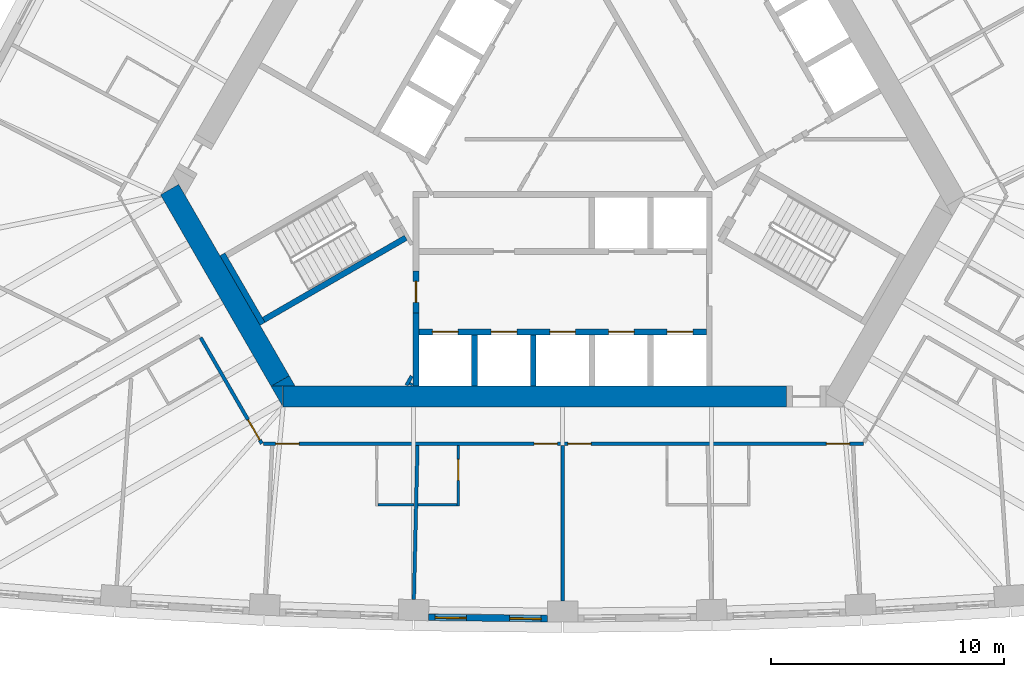
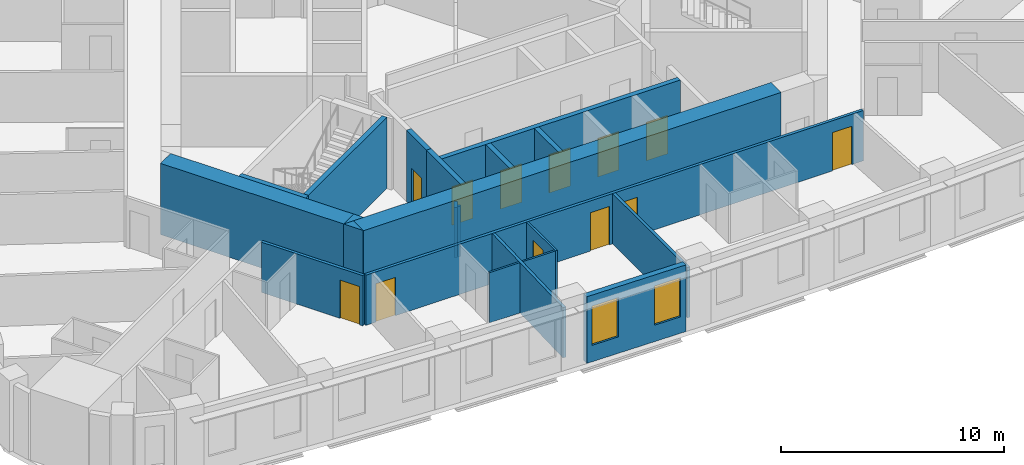
# One storey, part 4 of 13: 21 walls, 12 doors, 2 windows, 14 openings.
"""IFC4 building model written with IfcOpenShell, lengths in metres."""

from ifc_helpers import new_model, si_unit, direction, frame, frame_2d, origin, place, context, subcontext, project, spatial, polyline, rectangle, outline, extrude, material, layer, layer_set, type_object, element, fill, save


model = new_model("IFC4")

# Units and contexts
model_context = context("Model", 3, precision=1e-05, world=origin(), true_north=direction((0.0, 1.0)))
body_context = subcontext(model_context, "Body", "Model", "MODEL_VIEW")
ifc_project = project(units=[si_unit("LENGTHUNIT", "METRE"), si_unit("AREAUNIT", "SQUARE_METRE"), si_unit("VOLUMEUNIT", "CUBIC_METRE"), si_unit("PLANEANGLEUNIT", "RADIAN"), si_unit("MASSUNIT", "GRAM", prefix="KILO")], contexts=[model_context])

# Site, building, storey
site_placement = place(None, origin())
site = spatial("IfcSite", under=ifc_project, at=site_placement, CompositionType="ELEMENT")
building_placement = place(site_placement, origin())
building = spatial("IfcBuilding", under=site, at=building_placement, Name="Mestral Congress Tower", CompositionType="ELEMENT")
storey_placement = place(building_placement, frame((0.0, 0.0, 99.300048828125)))
storey = spatial("IfcBuildingStorey", under=building, at=storey_placement, Name="L23", CompositionType="ELEMENT", Elevation=99.300048828125)

# Walls
ifc_material_1 = material(Name="Fire-rated board partition")
ifc_layer_1 = layer(ifc_material_1, 0.14990234375)
ifc_layer_set_1 = layer_set([ifc_layer_1], Name="Fire-rated board partition")
wall_type_1 = type_object("IfcWallType", Name="Core partition 150", PredefinedType="PARTITIONING", material=ifc_layer_set_1)
wall_1_placement = place(storey_placement, frame((-6.707763671875, -12.068115234375, 0.0), z_axis=(0.0, 0.0, 1.0), x_axis=(0.500000789788, 0.8660249478, 0.0)))
element("IfcWall", 1, at=wall_1_placement, inside=storey, type_object=wall_type_1, Name="L23 core wall", PredefinedType="PARTITIONING", context=body_context, shape_type="SweptSolid", body=[
    extrude(rectangle(XDim=0.45556640625, YDim=0.14990234375, at=frame_2d((0.227783203125, 0.0))), origin(), (0.0, 0.0, 1.0), 2.75),
])
wall_2_placement = place(storey_placement, frame((-6.534423828125, -12.068115234375, 0.0), z_axis=(0.0, 0.0, 1.0), x_axis=(0.500240224089, 0.865886665912, 0.0)))
element("IfcWall", 2, at=wall_2_placement, inside=storey, type_object=wall_type_1, Name="L23 core wall", PredefinedType="PARTITIONING", context=body_context, shape_type="SweptSolid", body=[
    extrude(rectangle(XDim=0.10888671875, YDim=0.14990234375, at=frame_2d((0.054443359375, 0.0))), origin(), (0.0, 0.0, 1.0), 2.75),
])
ifc_material_2 = material(Name="Concrete C60/75", Category="concrete")
ifc_layer_2 = layer(ifc_material_2, 0.89990234375)
ifc_layer_set_2 = layer_set([ifc_layer_2], Name="Concrete C60/75")
wall_type_2 = type_object("IfcWallType", Name="Core wall RC 900", PredefinedType="SOLIDWALL", material=ifc_layer_set_2)
wall_3_placement = place(storey_placement, frame((-12.0185546875, -12.550048828125, 0.0), z_axis=(0.0, 0.0, 1.0), x_axis=(1.0, 0.0, 0.0)))
element("IfcWall", 3, at=wall_3_placement, inside=storey, type_object=wall_type_2, Name="L23 core wall", PredefinedType="SOLIDWALL", context=body_context, shape_type="SweptSolid", body=[
    extrude(rectangle(XDim=21.63037109375, YDim=0.89990234375, at=frame_2d((10.815185546875, 0.0))), origin(), (0.0, 0.0, 1.0), 3.89990234375),
])
placement = place(storey_placement, origin())
element("IfcWall", 4, at=placement, inside=storey, type_object=wall_type_2, Name="L23 core wall", PredefinedType="SOLIDWALL", context=body_context, shape_type="SweptSolid", body=[
    extrude(outline(polyline([(-12.528564453125, -12.10009765625), (-12.0205078125, -12.10009765625), (-12.0205078125, -12.97998046875), (-12.528564453125, -12.10009765625)])), origin(), (0.0, 0.0, 1.0), 3.89990234375),
])
wall_5_placement = place(storey_placement, frame((-12.134033203125, -11.88330078125, 0.0), z_axis=(0.0, 0.0, 1.0), x_axis=(-0.500005339912, 0.866022320763, 0.0)))
element("IfcWall", 5, at=wall_5_placement, inside=storey, type_object=wall_type_2, Name="L23 core wall", PredefinedType="SOLIDWALL", context=body_context, shape_type="SweptSolid", body=[
    extrude(rectangle(XDim=9.48779296875, YDim=0.89990234375, at=frame_2d((4.743896484375, 0.0))), origin(), (0.0, 0.0, 1.0), 3.89990234375),
])
element("IfcWall", 6, at=placement, inside=storey, type_object=wall_type_2, Name="L23 core wall", PredefinedType="SOLIDWALL", context=body_context, shape_type="SweptSolid", body=[
    extrude(outline(polyline([(-11.4892578125, -12.10009765625), (-12.50537109375, -12.10009765625), (-11.743408203125, -11.66015625), (-11.4892578125, -12.10009765625)])), origin(), (0.0, 0.0, 1.0), 3.89990234375),
])

# Wall, openings, windows
ifc_material_3 = material(Name="Precast concrete C40/50 with limestone facing", Category="masonry")
ifc_layer_3 = layer(ifc_material_3, 0.2900390625)
ifc_layer_set_3 = layer_set([ifc_layer_3], Name="Precast concrete C40/50 with limestone facing")
wall_type_3 = type_object("IfcWallType", Name="Facade stone wall 290", PredefinedType="SOLIDWALL", material=ifc_layer_set_3)
wall_7_placement = place(storey_placement, frame((-5.753173828125, -22.031494140625, 0.0), z_axis=(0.0, 0.0, 1.0), x_axis=(0.999931786565, -0.011679992145, 0.0)))
wall_7 = element("IfcWall", 7, at=wall_7_placement, inside=storey, type_object=wall_type_3, Name="Facade wall F0-03", PredefinedType="SOLIDWALL", context=body_context, shape_type="SweptSolid", body=[
    extrude(rectangle(XDim=5.10009765625, YDim=0.2900390625, at=frame_2d((2.550048828125, 0.0))), origin(), (0.0, 0.0, 1.0), 3.64990234375),
])
opening_1_placement = place(wall_7_placement, frame((0.2724609375, 0.0, 0.89990234375)))
opening_1 = element("IfcOpeningElement", 8, at=opening_1_placement, cuts=wall_7, Name="Opening W2", PredefinedType="OPENING", context=body_context, shape_type="SweptSolid", body=[
    extrude(rectangle(XDim=1.35009765625, YDim=2.14990234375, at=frame_2d((0.675048828125, 1.074951171875))), frame((0.0, 0.155029296875, 0.0), z_axis=(0.0, -1.0, 0.0), x_axis=(1.0, 0.0, 0.0)), (0.0, 0.0, 1.0), 0.31005859375),
])
opening_2_placement = place(wall_7_placement, frame((3.477783203125, 0.0, 0.89990234375)))
opening_2 = element("IfcOpeningElement", 9, at=opening_2_placement, cuts=wall_7, Name="Opening W2", PredefinedType="OPENING", context=body_context, shape_type="SweptSolid", body=[
    extrude(rectangle(XDim=1.35009765625, YDim=2.14990234375, at=frame_2d((0.675048828125, 1.074951171875))), frame((0.0, 0.155029296875, 0.0), z_axis=(0.0, -1.0, 0.0), x_axis=(1.0, 0.0, 0.0)), (0.0, 0.0, 1.0), 0.31005859375),
])
ifc_material_4 = material(Name="Clear low-emissivity double glazing", Category="glass")
window_type = type_object("IfcWindowType", Name="Facade punched window 1350 x 2150 sill 900", PartitioningType="DOUBLE_PANEL_VERTICAL", PredefinedType="WINDOW", material=ifc_material_4)
window_1_placement = place(opening_1_placement, origin())
window_1 = element("IfcWindow", 10, at=window_1_placement, inside=storey, type_object=window_type, Name="Window F0-03a", OverallHeight=2.14990234375, OverallWidth=1.35009765625, PartitioningType="DOUBLE_PANEL_VERTICAL", PredefinedType="WINDOW", context=body_context, shape_type="SweptSolid", body=[
    extrude(rectangle(XDim=1.35009765625, YDim=2.14990234375, at=frame_2d((0.675048828125, 1.074951171875))), frame((0.0, 0.01513671875, 0.0), z_axis=(0.0, -1.0, 0.0), x_axis=(1.0, 0.0, 0.0)), (0.0, 0.0, 1.0), 0.06005859375),
])
fill(opening_1, window_1)
window_2_placement = place(opening_2_placement, origin())
window_2 = element("IfcWindow", 11, at=window_2_placement, inside=storey, type_object=window_type, Name="Window F0-03b", OverallHeight=2.14990234375, OverallWidth=1.35009765625, PartitioningType="DOUBLE_PANEL_VERTICAL", PredefinedType="WINDOW", context=body_context, shape_type="SweptSolid", body=[
    extrude(rectangle(XDim=1.35009765625, YDim=2.14990234375, at=frame_2d((0.675048828125, 1.074951171875))), frame((0.0, 0.01513671875, 0.0), z_axis=(0.0, -1.0, 0.0), x_axis=(1.0, 0.0, 0.0)), (0.0, 0.0, 1.0), 0.06005859375),
])
fill(opening_2, window_2)

# Wall
ifc_material_5 = material(Name="Gypsum board partition on metal studs with mineral wool", Category="composite")
ifc_layer_4 = layer(ifc_material_5, 0.10009765625)
ifc_layer_set_4 = layer_set([ifc_layer_4], Name="Gypsum board partition on metal studs with mineral wool")
wall_type_4 = type_object("IfcWallType", Name="Hotel partition wall 100", PredefinedType="PARTITIONING", material=ifc_layer_set_4)
wall_8_placement = place(storey_placement, frame((-7.937744140625, -17.199951171875, 0.0), z_axis=(0.0, 0.0, 1.0), x_axis=(1.0, 0.0, 0.0)))
element("IfcWall", 12, at=wall_8_placement, inside=storey, type_object=wall_type_4, Name="L23-h-pod03b", PredefinedType="PARTITIONING", context=body_context, shape_type="SweptSolid", body=[
    extrude(rectangle(XDim=1.56005859375, YDim=0.10009765625, at=frame_2d((0.780029296875, 0.0))), origin(), (0.0, 0.0, 1.0), 2.75),
])

# Wall, opening, door
wall_9_placement = place(storey_placement, frame((-4.480224609375, -17.25, 0.0), z_axis=(0.0, 0.0, 1.0), x_axis=(0.0, 1.0, 0.0)))
wall_9 = element("IfcWall", 13, at=wall_9_placement, inside=storey, type_object=wall_type_4, Name="L23-h-pod04a", PredefinedType="PARTITIONING", context=body_context, shape_type="SweptSolid", body=[
    extrude(rectangle(XDim=2.60009765625, YDim=0.10009765625, at=frame_2d((1.300048828125, 0.0))), origin(), (0.0, 0.0, 1.0), 2.75),
])
opening_3_placement = place(wall_9_placement, frame((1.10009765625, 0.0, 0.0)))
opening_3 = element("IfcOpeningElement", 14, at=opening_3_placement, cuts=wall_9, Name="Opening H07-008", PredefinedType="OPENING", context=body_context, shape_type="SweptSolid", body=[
    extrude(rectangle(XDim=0.89990234375, YDim=2.10009765625, at=frame_2d((0.449951171875, 1.050048828125))), frame((0.0, 0.06005859375, 0.0), z_axis=(0.0, -1.0, 0.0), x_axis=(1.0, 0.0, 0.0)), (0.0, 0.0, 1.0), 0.1201171875),
])
ifc_material_6 = material(Name="Timber veneer door leaf in timber frame", Category="wood")
door_type_1 = type_object("IfcDoorType", Name="Bathroom door 900", OperationType="SINGLE_SWING_LEFT", PredefinedType="DOOR", material=ifc_material_6)
door_1_placement = place(opening_3_placement, origin())
door_1 = element("IfcDoor", 15, at=door_1_placement, inside=storey, type_object=door_type_1, Name="L23-h-d008", OperationType="SINGLE_SWING_LEFT", OverallHeight=2.10009765625, OverallWidth=0.89990234375, PredefinedType="DOOR", context=body_context, shape_type="SweptSolid", body=[
    extrude(rectangle(XDim=0.89990234375, YDim=2.10009765625, at=frame_2d((0.449951171875, 1.050048828125))), frame((0.0, 0.02490234375, 0.0), z_axis=(0.0, -1.0, 0.0), x_axis=(1.0, 0.0, 0.0)), (0.0, 0.0, 1.0), 0.050048828125),
])
fill(opening_3, door_1)

# Wall
wall_10_placement = place(storey_placement, frame((-4.5302734375, -17.199951171875, 0.0), z_axis=(0.0, 0.0, 1.0), x_axis=(-1.0, 0.0, 0.0)))
element("IfcWall", 16, at=wall_10_placement, inside=storey, type_object=wall_type_4, Name="L23-h-pod04b", PredefinedType="PARTITIONING", context=body_context, shape_type="SweptSolid", body=[
    extrude(rectangle(XDim=1.679931640625, YDim=0.10009765625, at=frame_2d((0.83984375, 0.0))), origin(), (0.0, 0.0, 1.0), 2.75),
])

# Wall, opening, door
ifc_layer_5 = layer(ifc_material_5, 0.14990234375)
ifc_layer_set_5 = layer_set([ifc_layer_5], Name="Gypsum board partition on metal studs with mineral wool")
wall_type_5 = type_object("IfcWallType", Name="Hotel partition wall 150", PredefinedType="PARTITIONING", material=ifc_layer_set_5)
wall_11_placement = place(storey_placement, frame((-12.918212890625, -14.574951171875, 0.0), z_axis=(0.0, 0.0, 1.0), x_axis=(-0.500009150678, 0.866020120573, 0.0)))
wall_11 = element("IfcWall", 17, at=wall_11_placement, inside=storey, type_object=wall_type_5, Name="L23-h-cw12", PredefinedType="PARTITIONING", context=body_context, shape_type="SweptSolid", body=[
    extrude(rectangle(XDim=5.25830078125, YDim=0.14990234375, at=frame_2d((2.629150390625, 0.0))), origin(), (0.0, 0.0, 1.0), 2.75),
])
opening_4_placement = place(wall_11_placement, frame((0.179931640625, 0.0, 0.0)))
opening_4 = element("IfcOpeningElement", 18, at=opening_4_placement, cuts=wall_11, Name="Opening H07-003", PredefinedType="OPENING", context=body_context, shape_type="SweptSolid", body=[
    extrude(rectangle(XDim=1.0, YDim=2.10009765625, at=frame_2d((0.5, 1.050048828125))), frame((0.0, 0.0849609375, 0.0), z_axis=(0.0, -1.0, 0.0), x_axis=(1.0, 0.0, 0.0)), (0.0, 0.0, 1.0), 0.169921875),
])
ifc_material_7 = material(Name="Timber veneer door leaf in metal frame", Category="wood")
door_type_2 = type_object("IfcDoorType", Name="Guest room entrance door 1000", OperationType="SINGLE_SWING_LEFT", PredefinedType="DOOR", material=ifc_material_7)
door_2_placement = place(opening_4_placement, origin())
door_2 = element("IfcDoor", 19, at=door_2_placement, inside=storey, type_object=door_type_2, Name="L23-h-d003", OperationType="SINGLE_SWING_LEFT", OverallHeight=2.10009765625, OverallWidth=1.0, PredefinedType="DOOR", context=body_context, shape_type="SweptSolid", body=[
    extrude(rectangle(XDim=1.0, YDim=2.10009765625, at=frame_2d((0.5, 1.050048828125))), frame((0.0, 0.02490234375, 0.0), z_axis=(0.0, -1.0, 0.0), x_axis=(1.0, 0.0, 0.0)), (0.0, 0.0, 1.0), 0.050048828125),
])
fill(opening_4, door_2)

# Wall, openings, doors
wall_12_placement = place(storey_placement, frame((12.918212890625, -14.574951171875, 0.0), z_axis=(0.0, 0.0, 1.0), x_axis=(-1.0, 0.0, 0.0)))
wall_12 = element("IfcWall", 20, at=wall_12_placement, inside=storey, type_object=wall_type_5, Name="L23-h-cw13", PredefinedType="PARTITIONING", context=body_context, shape_type="SweptSolid", body=[
    extrude(rectangle(XDim=25.766357421875, YDim=0.14990234375, at=frame_2d((12.88330078125, 0.0))), origin(), (0.0, 0.0, 1.0), 2.75),
])
opening_5_placement = place(wall_12_placement, frame((24.240478515625, 0.0, 0.0)))
opening_5 = element("IfcOpeningElement", 21, at=opening_5_placement, cuts=wall_12, Name="Opening H07-005", PredefinedType="OPENING", context=body_context, shape_type="SweptSolid", body=[
    extrude(rectangle(XDim=1.0, YDim=2.10009765625, at=frame_2d((0.5, 1.050048828125))), frame((0.0, 0.0849609375, 0.0), z_axis=(0.0, -1.0, 0.0), x_axis=(1.0, 0.0, 0.0)), (0.0, 0.0, 1.0), 0.169921875),
])
opening_6_placement = place(wall_12_placement, frame((13.144287109375, 0.0, 0.0)))
opening_6 = element("IfcOpeningElement", 22, at=opening_6_placement, cuts=wall_12, Name="Opening H07-007", PredefinedType="OPENING", context=body_context, shape_type="SweptSolid", body=[
    extrude(rectangle(XDim=1.0, YDim=2.10009765625, at=frame_2d((0.5, 1.050048828125))), frame((0.0, 0.0849609375, 0.0), z_axis=(0.0, -1.0, 0.0), x_axis=(1.0, 0.0, 0.0)), (0.0, 0.0, 1.0), 0.169921875),
])
opening_7_placement = place(wall_12_placement, frame((11.693115234375, 0.0, 0.0)))
opening_7 = element("IfcOpeningElement", 23, at=opening_7_placement, cuts=wall_12, Name="Opening H07-009", PredefinedType="OPENING", context=body_context, shape_type="SweptSolid", body=[
    extrude(rectangle(XDim=1.0, YDim=2.10009765625, at=frame_2d((0.5, 1.050048828125))), frame((0.0, 0.0849609375, 0.0), z_axis=(0.0, -1.0, 0.0), x_axis=(1.0, 0.0, 0.0)), (0.0, 0.0, 1.0), 0.169921875),
])
opening_8_placement = place(wall_12_placement, frame((0.595947265625, 0.0, 0.0)))
opening_8 = element("IfcOpeningElement", 24, at=opening_8_placement, cuts=wall_12, Name="Opening H07-011", PredefinedType="OPENING", context=body_context, shape_type="SweptSolid", body=[
    extrude(rectangle(XDim=1.0, YDim=2.10009765625, at=frame_2d((0.5, 1.050048828125))), frame((0.0, 0.0849609375, 0.0), z_axis=(0.0, -1.0, 0.0), x_axis=(1.0, 0.0, 0.0)), (0.0, 0.0, 1.0), 0.169921875),
])
door_3_placement = place(opening_5_placement, origin())
door_3 = element("IfcDoor", 25, at=door_3_placement, inside=storey, type_object=door_type_2, Name="L23-h-d005", OperationType="SINGLE_SWING_RIGHT", OverallHeight=2.10009765625, OverallWidth=1.0, PredefinedType="DOOR", context=body_context, shape_type="SweptSolid", body=[
    extrude(rectangle(XDim=1.0, YDim=2.10009765625, at=frame_2d((0.5, 1.050048828125))), frame((0.0, 0.02490234375, 0.0), z_axis=(0.0, -1.0, 0.0), x_axis=(1.0, 0.0, 0.0)), (0.0, 0.0, 1.0), 0.050048828125),
])
fill(opening_5, door_3)
door_4_placement = place(opening_6_placement, origin())
door_4 = element("IfcDoor", 26, at=door_4_placement, inside=storey, type_object=door_type_2, Name="L23-h-d007", OperationType="SINGLE_SWING_LEFT", OverallHeight=2.10009765625, OverallWidth=1.0, PredefinedType="DOOR", context=body_context, shape_type="SweptSolid", body=[
    extrude(rectangle(XDim=1.0, YDim=2.10009765625, at=frame_2d((0.5, 1.050048828125))), frame((0.0, 0.02490234375, 0.0), z_axis=(0.0, -1.0, 0.0), x_axis=(1.0, 0.0, 0.0)), (0.0, 0.0, 1.0), 0.050048828125),
])
fill(opening_6, door_4)
door_5_placement = place(opening_7_placement, origin())
door_5 = element("IfcDoor", 27, at=door_5_placement, inside=storey, type_object=door_type_2, Name="L23-h-d009", OperationType="SINGLE_SWING_RIGHT", OverallHeight=2.10009765625, OverallWidth=1.0, PredefinedType="DOOR", context=body_context, shape_type="SweptSolid", body=[
    extrude(rectangle(XDim=1.0, YDim=2.10009765625, at=frame_2d((0.5, 1.050048828125))), frame((0.0, 0.02490234375, 0.0), z_axis=(0.0, -1.0, 0.0), x_axis=(1.0, 0.0, 0.0)), (0.0, 0.0, 1.0), 0.050048828125),
])
fill(opening_7, door_5)
door_6_placement = place(opening_8_placement, origin())
door_6 = element("IfcDoor", 28, at=door_6_placement, inside=storey, type_object=door_type_2, Name="L23-h-d011", OperationType="SINGLE_SWING_LEFT", OverallHeight=2.10009765625, OverallWidth=1.0, PredefinedType="DOOR", context=body_context, shape_type="SweptSolid", body=[
    extrude(rectangle(XDim=1.0, YDim=2.10009765625, at=frame_2d((0.5, 1.050048828125))), frame((0.0, 0.02490234375, 0.0), z_axis=(0.0, -1.0, 0.0), x_axis=(1.0, 0.0, 0.0)), (0.0, 0.0, 1.0), 0.050048828125),
])
fill(opening_8, door_6)

# Walls
wall_13_placement = place(storey_placement, frame((-6.388916015625, -21.268798828125, 0.0), z_axis=(0.0, 0.0, 1.0), x_axis=(0.023377429176, 0.999726710559, 0.0)))
element("IfcWall", 29, at=wall_13_placement, inside=storey, type_object=wall_type_5, Name="L23-h-pw12", PredefinedType="PARTITIONING", context=body_context, shape_type="SweptSolid", body=[
    extrude(rectangle(XDim=6.610595703125, YDim=0.14990234375, at=frame_2d((3.30517578125, 0.0))), origin(), (0.0, 0.0, 1.0), 2.75),
])
wall_14_placement = place(storey_placement, frame((0.0, -21.343505859375, 0.0), z_axis=(0.0, 0.0, 1.0), x_axis=(0.0, 1.0, 0.0)))
element("IfcWall", 30, at=wall_14_placement, inside=storey, type_object=wall_type_5, Name="L23-h-pw15", PredefinedType="PARTITIONING", context=body_context, shape_type="SweptSolid", body=[
    extrude(rectangle(XDim=6.693603515625, YDim=0.14990234375, at=frame_2d((3.3466796875, 0.0))), origin(), (0.0, 0.0, 1.0), 2.75),
])
ifc_layer_6 = layer(ifc_material_2, 0.25)
ifc_layer_set_6 = layer_set([ifc_layer_6], Name="Concrete C60/75")
wall_type_6 = type_object("IfcWallType", Name="Shaft wall RC 250", PredefinedType="SOLIDWALL", material=ifc_layer_set_6)
wall_15_placement = place(storey_placement, frame((-3.780029296875, -12.10009765625, 0.0), z_axis=(0.0, 0.0, 1.0), x_axis=(0.0, 1.0, 0.0)))
element("IfcWall", 31, at=wall_15_placement, inside=storey, type_object=wall_type_6, Name="L23 core wall", PredefinedType="SOLIDWALL", context=body_context, shape_type="SweptSolid", body=[
    extrude(rectangle(XDim=2.199951171875, YDim=0.25, at=frame_2d((1.10009765625, 0.0))), origin(), (0.0, 0.0, 1.0), 3.89990234375),
])
wall_16_placement = place(storey_placement, frame((-6.300048828125, -12.10009765625, 0.0), z_axis=(0.0, 0.0, 1.0), x_axis=(0.0, 1.0, 0.0)))
element("IfcWall", 32, at=wall_16_placement, inside=storey, type_object=wall_type_6, Name="L23 core wall", PredefinedType="SOLIDWALL", context=body_context, shape_type="SweptSolid", body=[
    extrude(rectangle(XDim=3.1455078125, YDim=0.25, at=frame_2d((1.57275390625, 0.0))), origin(), (0.0, 0.0, 1.0), 3.89990234375),
])
wall_17_placement = place(storey_placement, frame((-1.260009765625, -12.10009765625, 0.0), z_axis=(0.0, 0.0, 1.0), x_axis=(0.0, 1.0, 0.0)))
element("IfcWall", 33, at=wall_17_placement, inside=storey, type_object=wall_type_6, Name="L23 core wall", PredefinedType="SOLIDWALL", context=body_context, shape_type="SweptSolid", body=[
    extrude(rectangle(XDim=2.199951171875, YDim=0.25, at=frame_2d((1.10009765625, 0.0))), origin(), (0.0, 0.0, 1.0), 3.89990234375),
])

# Wall, openings, doors
wall_18_placement = place(storey_placement, frame((-6.175048828125, -9.77490234375, 0.0), z_axis=(0.0, 0.0, 1.0), x_axis=(1.0, 0.0, 0.0)))
wall_18 = element("IfcWall", 34, at=wall_18_placement, inside=storey, type_object=wall_type_6, Name="L23 door wall", PredefinedType="SOLIDWALL", context=body_context, shape_type="SweptSolid", body=[
    extrude(rectangle(XDim=12.35009765625, YDim=0.25, at=frame_2d((6.175048828125, 0.0))), origin(), (0.0, 0.0, 1.0), 3.89990234375),
])
opening_9_placement = place(wall_18_placement, frame((0.5849609375, 0.0, 0.0)))
opening_9 = element("IfcOpeningElement", 35, at=opening_9_placement, cuts=wall_18, Name="Opening LD-SOA1", PredefinedType="OPENING", context=body_context, shape_type="SweptSolid", body=[
    extrude(rectangle(XDim=1.10009765625, YDim=2.10009765625, at=frame_2d((0.550048828125, 1.050048828125))), frame((0.0, 0.135009765625, 0.0), z_axis=(0.0, -1.0, 0.0), x_axis=(1.0, 0.0, 0.0)), (0.0, 0.0, 1.0), 0.27001953125),
])
opening_10_placement = place(wall_18_placement, frame((3.10498046875, 0.0, 0.0)))
opening_10 = element("IfcOpeningElement", 36, at=opening_10_placement, cuts=wall_18, Name="Opening LD-SOA2", PredefinedType="OPENING", context=body_context, shape_type="SweptSolid", body=[
    extrude(rectangle(XDim=1.10009765625, YDim=2.10009765625, at=frame_2d((0.550048828125, 1.050048828125))), frame((0.0, 0.135009765625, 0.0), z_axis=(0.0, -1.0, 0.0), x_axis=(1.0, 0.0, 0.0)), (0.0, 0.0, 1.0), 0.27001953125),
])
opening_11_placement = place(wall_18_placement, frame((5.625, 0.0, 0.0)))
opening_11 = element("IfcOpeningElement", 37, at=opening_11_placement, cuts=wall_18, Name="Opening LD-SOA3", PredefinedType="OPENING", context=body_context, shape_type="SweptSolid", body=[
    extrude(rectangle(XDim=1.10009765625, YDim=2.10009765625, at=frame_2d((0.550048828125, 1.050048828125))), frame((0.0, 0.135009765625, 0.0), z_axis=(0.0, -1.0, 0.0), x_axis=(1.0, 0.0, 0.0)), (0.0, 0.0, 1.0), 0.27001953125),
])
opening_12_placement = place(wall_18_placement, frame((8.14501953125, 0.0, 0.0)))
opening_12 = element("IfcOpeningElement", 38, at=opening_12_placement, cuts=wall_18, Name="Opening LD-SOA4", PredefinedType="OPENING", context=body_context, shape_type="SweptSolid", body=[
    extrude(rectangle(XDim=1.10009765625, YDim=2.10009765625, at=frame_2d((0.550048828125, 1.050048828125))), frame((0.0, 0.135009765625, 0.0), z_axis=(0.0, -1.0, 0.0), x_axis=(1.0, 0.0, 0.0)), (0.0, 0.0, 1.0), 0.27001953125),
])
opening_13_placement = place(wall_18_placement, frame((10.6650390625, 0.0, 0.0)))
opening_13 = element("IfcOpeningElement", 39, at=opening_13_placement, cuts=wall_18, Name="Opening LD-SOA5", PredefinedType="OPENING", context=body_context, shape_type="SweptSolid", body=[
    extrude(rectangle(XDim=1.10009765625, YDim=2.10009765625, at=frame_2d((0.550048828125, 1.050048828125))), frame((0.0, 0.135009765625, 0.0), z_axis=(0.0, -1.0, 0.0), x_axis=(1.0, 0.0, 0.0)), (0.0, 0.0, 1.0), 0.27001953125),
])
ifc_material_8 = material(Name="Fire-rated steel door set", Category="steel")
door_type_3 = type_object("IfcDoorType", Name="Core door LD 1100x2100", OperationType="DOUBLE_DOOR_SLIDING", PredefinedType="DOOR", material=ifc_material_8)
door_7_placement = place(opening_9_placement, origin())
door_7 = element("IfcDoor", 40, at=door_7_placement, inside=storey, type_object=door_type_3, Name="Door LD-SOA1", OperationType="DOUBLE_DOOR_SLIDING", OverallHeight=2.10009765625, OverallWidth=1.10009765625, PredefinedType="DOOR", context=body_context, shape_type="SweptSolid", body=[
    extrude(rectangle(XDim=1.10009765625, YDim=2.10009765625, at=frame_2d((0.550048828125, 1.050048828125))), frame((0.0, 0.02490234375, 0.0), z_axis=(0.0, -1.0, 0.0), x_axis=(1.0, 0.0, 0.0)), (0.0, 0.0, 1.0), 0.050048828125),
])
fill(opening_9, door_7)
door_8_placement = place(opening_10_placement, origin())
door_8 = element("IfcDoor", 41, at=door_8_placement, inside=storey, type_object=door_type_3, Name="Door LD-SOA2", OperationType="DOUBLE_DOOR_SLIDING", OverallHeight=2.10009765625, OverallWidth=1.10009765625, PredefinedType="DOOR", context=body_context, shape_type="SweptSolid", body=[
    extrude(rectangle(XDim=1.10009765625, YDim=2.10009765625, at=frame_2d((0.550048828125, 1.050048828125))), frame((0.0, 0.02490234375, 0.0), z_axis=(0.0, -1.0, 0.0), x_axis=(1.0, 0.0, 0.0)), (0.0, 0.0, 1.0), 0.050048828125),
])
fill(opening_10, door_8)
door_9_placement = place(opening_11_placement, origin())
door_9 = element("IfcDoor", 42, at=door_9_placement, inside=storey, type_object=door_type_3, Name="Door LD-SOA3", OperationType="DOUBLE_DOOR_SLIDING", OverallHeight=2.10009765625, OverallWidth=1.10009765625, PredefinedType="DOOR", context=body_context, shape_type="SweptSolid", body=[
    extrude(rectangle(XDim=1.10009765625, YDim=2.10009765625, at=frame_2d((0.550048828125, 1.050048828125))), frame((0.0, 0.02490234375, 0.0), z_axis=(0.0, -1.0, 0.0), x_axis=(1.0, 0.0, 0.0)), (0.0, 0.0, 1.0), 0.050048828125),
])
fill(opening_11, door_9)
door_10_placement = place(opening_12_placement, origin())
door_10 = element("IfcDoor", 43, at=door_10_placement, inside=storey, type_object=door_type_3, Name="Door LD-SOA4", OperationType="DOUBLE_DOOR_SLIDING", OverallHeight=2.10009765625, OverallWidth=1.10009765625, PredefinedType="DOOR", context=body_context, shape_type="SweptSolid", body=[
    extrude(rectangle(XDim=1.10009765625, YDim=2.10009765625, at=frame_2d((0.550048828125, 1.050048828125))), frame((0.0, 0.02490234375, 0.0), z_axis=(0.0, -1.0, 0.0), x_axis=(1.0, 0.0, 0.0)), (0.0, 0.0, 1.0), 0.050048828125),
])
fill(opening_12, door_10)
door_11_placement = place(opening_13_placement, origin())
door_11 = element("IfcDoor", 44, at=door_11_placement, inside=storey, type_object=door_type_3, Name="Door LD-SOA5", OperationType="DOUBLE_DOOR_SLIDING", OverallHeight=2.10009765625, OverallWidth=1.10009765625, PredefinedType="DOOR", context=body_context, shape_type="SweptSolid", body=[
    extrude(rectangle(XDim=1.10009765625, YDim=2.10009765625, at=frame_2d((0.550048828125, 1.050048828125))), frame((0.0, 0.02490234375, 0.0), z_axis=(0.0, -1.0, 0.0), x_axis=(1.0, 0.0, 0.0)), (0.0, 0.0, 1.0), 0.050048828125),
])
fill(opening_13, door_11)

# Wall, opening, door
wall_19_placement = place(storey_placement, frame((-6.300048828125, -7.154296875, 0.0), z_axis=(0.0, 0.0, 1.0), x_axis=(0.0, -1.0, 0.0)))
wall_19 = element("IfcWall", 45, at=wall_19_placement, inside=storey, type_object=wall_type_6, Name="L23 door wall", PredefinedType="SOLIDWALL", context=body_context, shape_type="SweptSolid", body=[
    extrude(rectangle(XDim=1.800048828125, YDim=0.25, at=frame_2d((0.89990234375, 0.0))), origin(), (0.0, 0.0, 1.0), 3.89990234375),
])
opening_14_placement = place(wall_19_placement, frame((0.449951171875, 0.0, 0.0)))
opening_14 = element("IfcOpeningElement", 46, at=opening_14_placement, cuts=wall_19, Name="Opening TD3", PredefinedType="OPENING", context=body_context, shape_type="SweptSolid", body=[
    extrude(rectangle(XDim=0.89990234375, YDim=2.10009765625, at=frame_2d((0.449951171875, 1.050048828125))), frame((0.0, 0.135009765625, 0.0), z_axis=(0.0, -1.0, 0.0), x_axis=(1.0, 0.0, 0.0)), (0.0, 0.0, 1.0), 0.27001953125),
])
door_type_4 = type_object("IfcDoorType", Name="Core door SR 900x2100", OperationType="SINGLE_SWING_LEFT", PredefinedType="DOOR", material=ifc_material_8)
door_12_placement = place(opening_14_placement, origin())
door_12 = element("IfcDoor", 47, at=door_12_placement, inside=storey, type_object=door_type_4, Name="Door TD3", OperationType="SINGLE_SWING_LEFT", OverallHeight=2.10009765625, OverallWidth=0.89990234375, PredefinedType="DOOR", context=body_context, shape_type="SweptSolid", body=[
    extrude(rectangle(XDim=0.89990234375, YDim=2.10009765625, at=frame_2d((0.449951171875, 1.050048828125))), frame((0.0, 0.02490234375, 0.0), z_axis=(0.0, -1.0, 0.0), x_axis=(1.0, 0.0, 0.0)), (0.0, 0.0, 1.0), 0.050048828125),
])
fill(opening_14, door_12)

# Walls
ifc_layer_7 = layer(ifc_material_2, 0.25)
ifc_layer_set_7 = layer_set([ifc_layer_7], Name="Concrete C60/75")
wall_type_7 = type_object("IfcWallType", Name="Stair wall RC 250", PredefinedType="SOLIDWALL", material=ifc_layer_set_7)
wall_20_placement = place(storey_placement, frame((-12.885498046875, -9.431396484375, 0.0), z_axis=(0.0, 0.0, 1.0), x_axis=(-0.500020560727, 0.866013532718, 0.0)))
element("IfcWall", 48, at=wall_20_placement, inside=storey, type_object=wall_type_7, Name="L23 core wall", PredefinedType="SOLIDWALL", context=body_context, shape_type="SweptSolid", body=[
    extrude(rectangle(XDim=3.449951171875, YDim=0.25, at=frame_2d((1.72509765625, 0.0))), origin(), (0.0, 0.0, 1.0), 3.89990234375),
])
wall_21_placement = place(storey_placement, frame((-12.83984375, -9.2607421875, 0.0), z_axis=(0.0, 0.0, 1.0), x_axis=(0.866016039709, 0.500016218704, 0.0)))
element("IfcWall", 49, at=wall_21_placement, inside=storey, type_object=wall_type_7, Name="L23 core wall", PredefinedType="SOLIDWALL", context=body_context, shape_type="SweptSolid", body=[
    extrude(rectangle(XDim=7.050048828125, YDim=0.25, at=frame_2d((3.52490234375, 0.0))), origin(), (0.0, 0.0, 1.0), 3.89990234375),
])

save(model, "model.ifc")
